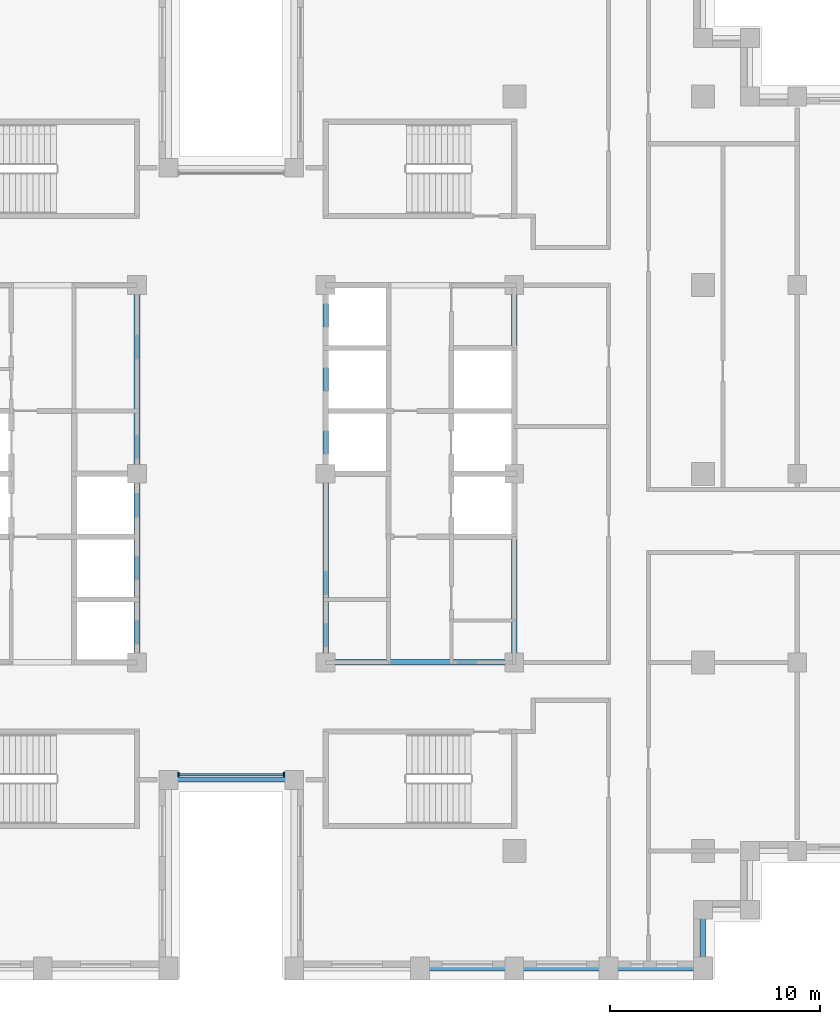
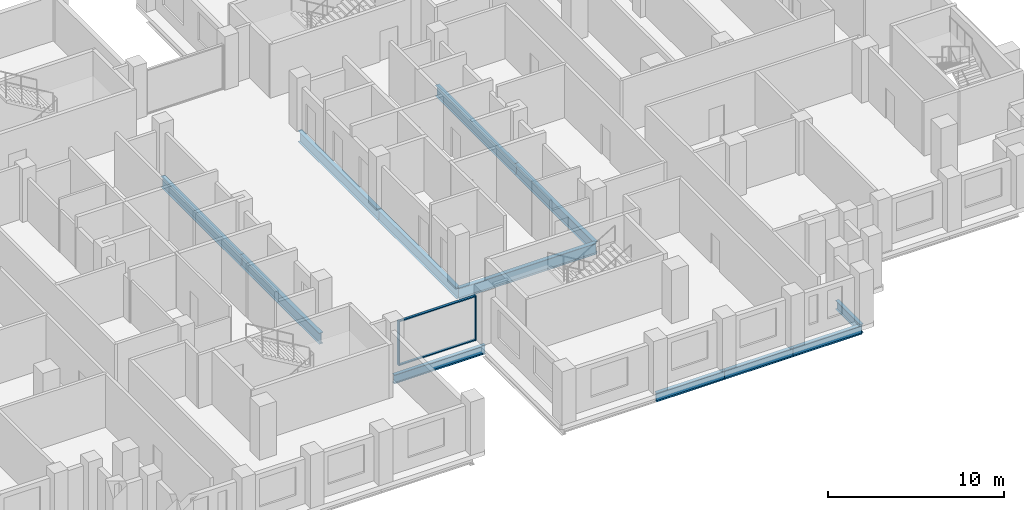
# One storey, part 2 of 16: 12 beams, 4 members, 1 element without a shape of its own.
"""IFC4 building model written with IfcOpenShell, lengths in metres."""

from ifc_helpers import new_model, si_unit, direction, frame, origin, origin_2d, place, context, subcontext, project, spatial, rectangle, i_section, extrude, material, layer, layer_set, material_profile, profile_set, type_object, element, aggregate, save


model = new_model("IFC4")

# Units and contexts
model_context = context("Model", 3, precision=1e-05, world=origin(), true_north=direction((0.0, 1.0)))
body_context = subcontext(model_context, "Body", "Model", "MODEL_VIEW")
ifc_project = project(units=[si_unit("LENGTHUNIT", "METRE"), si_unit("AREAUNIT", "SQUARE_METRE"), si_unit("VOLUMEUNIT", "CUBIC_METRE"), si_unit("PLANEANGLEUNIT", "RADIAN"), si_unit("MASSUNIT", "GRAM", prefix="KILO")], contexts=[model_context])

# Site, building, storey
site_placement = place(None, origin())
site = spatial("IfcSite", under=ifc_project, at=site_placement, CompositionType="ELEMENT")
building_placement = place(site_placement, origin())
building = spatial("IfcBuilding", under=site, at=building_placement, Name="Corbelhall Arena Tower", CompositionType="ELEMENT")
storey_placement = place(building_placement, frame((0.0, 0.0, 150.0)))
storey = spatial("IfcBuildingStorey", under=building, at=storey_placement, Name="L29", CompositionType="ELEMENT", Elevation=150.0)

# Curtain wall, members
ifc_material_1 = material(Name="Aluminium black anodised", Category="aluminium")
ifc_layer = layer(ifc_material_1, 0.199951171875)
ifc_layer_set = layer_set([ifc_layer], Name="EV-CW1 Slot back wall")
curtain_wall_type = type_object("IfcCurtainWallType", Name="EV-CW1 Slot back wall", PredefinedType="NOTDEFINED", material=ifc_layer_set)
curtain_wall_placement = place(storey_placement, origin())
curtain_wall = element("IfcCurtainWall", 1, at=curtain_wall_placement, inside=storey, type_object=curtain_wall_type, Name="Curtain wall CW1", PredefinedType="NOTDEFINED")
ifc_material_profile_1 = material_profile(ifc_material_1, rectangle(XDim=0.199951171875, YDim=0.074951171875, at=origin_2d()))
ifc_profile_set_1 = profile_set([ifc_material_profile_1], Name="Aluminium black anodised")
member_type_1 = type_object("IfcMemberType", Name="EV-CW1-MULLION", PredefinedType="MULLION", material=ifc_profile_set_1)
member_1_placement = place(storey_placement, frame((-2.512451171875, -14.35009765625, 0.0), z_axis=(0.0, 0.0, 1.0), x_axis=(0.0, 1.0, 0.0)))
member_1 = element("IfcMember", 2, at=member_1_placement, type_object=member_type_1, Name="CW1 mullion 1", PredefinedType="MULLION", context=body_context, shape_type="SweptSolid", body=[
    extrude(rectangle(XDim=0.199951171875, YDim=0.074951171875, at=origin_2d()), origin(), (0.0, 0.0, 1.0), 3.10009765625),
])
member_2_placement = place(storey_placement, frame((2.512451171875, -14.35009765625, 0.0), z_axis=(0.0, 0.0, 1.0), x_axis=(0.0, 1.0, 0.0)))
member_2 = element("IfcMember", 3, at=member_2_placement, type_object=member_type_1, Name="CW1 mullion 2", PredefinedType="MULLION", context=body_context, shape_type="SweptSolid", body=[
    extrude(rectangle(XDim=0.199951171875, YDim=0.074951171875, at=origin_2d()), origin(), (0.0, 0.0, 1.0), 3.10009765625),
])
ifc_material_profile_2 = material_profile(ifc_material_1, rectangle(XDim=0.14990234375, YDim=0.074951171875, at=origin_2d()))
ifc_profile_set_2 = profile_set([ifc_material_profile_2], Name="Aluminium black anodised")
member_type_2 = type_object("IfcMemberType", Name="EV-CW1-TRANSOM", PredefinedType="USERDEFINED", material=ifc_profile_set_2)
member_3_placement = place(storey_placement, frame((-2.47509765625, -14.35009765625, 0.03759765625), z_axis=(1.0, 0.0, 0.0), x_axis=(0.0, 1.0, 0.0)))
member_3 = element("IfcMember", 4, at=member_3_placement, type_object=member_type_2, Name="CW1 transom 1.1", ObjectType="transom", PredefinedType="USERDEFINED", context=body_context, shape_type="SweptSolid", body=[
    extrude(rectangle(XDim=0.14990234375, YDim=0.074951171875, at=origin_2d()), origin(), (0.0, 0.0, 1.0), 4.9501953125),
])
member_4_placement = place(storey_placement, frame((-2.47509765625, -14.35009765625, 3.0625), z_axis=(1.0, 0.0, 0.0), x_axis=(0.0, 1.0, 0.0)))
member_4 = element("IfcMember", 5, at=member_4_placement, type_object=member_type_2, Name="CW1 transom 1.2", ObjectType="transom", PredefinedType="USERDEFINED", context=body_context, shape_type="SweptSolid", body=[
    extrude(rectangle(XDim=0.14990234375, YDim=0.074951171875, at=origin_2d()), origin(), (0.0, 0.0, 1.0), 4.9501953125),
])
aggregate(curtain_wall, [member_1, member_2, member_3, member_4])

# Beams
ifc_material_2 = material(Name="Steel ASTM A992 Gr50", Category="steel")
ifc_material_profile_3 = material_profile(ifc_material_2, i_section(OverallWidth=0.2666015625, OverallDepth=0.761962890625, WebThickness=0.014404296875, FlangeThickness=0.021484375, at=origin_2d()))
ifc_profile_set_3 = profile_set([ifc_material_profile_3], Name="Steel ASTM A992 Gr50")
beam_type_1 = type_object("IfcBeamType", Name="ST-BEAM-W30x116", PredefinedType="BEAM", material=ifc_profile_set_3)
for number, where, z_axis, x_axis, name in (
    (6, (-4.5, -9.0, -0.680908203125), (0.0, 1.0, 0.0), (-1.0, 0.0, 0.0), "Beam CEW 3"),
    (7, (-4.5, 0.0, -0.680908203125), (0.0, 1.0, 0.0), (-1.0, 0.0, 0.0), "Beam CEW 4"),
    (8, (4.5, -9.0, -0.680908203125), (0.0, 1.0, 0.0), (-1.0, 0.0, 0.0), "Beam CEE 7"),
    (9, (4.5, 0.0, -0.680908203125), (0.0, 1.0, 0.0), (-1.0, 0.0, 0.0), "Beam CEE 8"),
    (10, (13.5, -9.0, -0.680908203125), (0.0, 1.0, 0.0), (-1.0, 0.0, 0.0), "Beam CEE 9"),
    (11, (13.5, 0.0, -0.680908203125), (0.0, 1.0, 0.0), (-1.0, 0.0, 0.0), "Beam CEE 10"),
    (12, (4.5, -9.0, -0.680908203125), (1.0, 0.0, 0.0), (0.0, 1.0, 0.0), "Beam CEE 11"),
):
    element("IfcBeam", number, at=place(storey_placement, frame(where, z_axis=z_axis, x_axis=x_axis)), inside=storey, type_object=beam_type_1, Name=name, PredefinedType="BEAM", context=body_context, shape_type="SweptSolid", body=[
        extrude(i_section(OverallWidth=0.2666015625, OverallDepth=0.761962890625, WebThickness=0.014404296875, FlangeThickness=0.021484375, at=origin_2d()), origin(), (0.0, 0.0, 1.0), 9.0),
    ])
ifc_material_profile_4 = material_profile(ifc_material_2, i_section(OverallWidth=0.22900390625, OverallDepth=0.612060546875, WebThickness=0.011962890625, FlangeThickness=0.01953125, at=origin_2d()))
ifc_profile_set_4 = profile_set([ifc_material_profile_4], Name="Steel ASTM A992 Gr50")
beam_type_2 = type_object("IfcBeamType", Name="ST-SPANDREL-W24x84", PredefinedType="SPANDREL", material=ifc_profile_set_4)
for number, where, z_axis, x_axis, name in (
    (13, (13.5, -23.60009765625, -0.60595703125), (-1.0, 0.0, 0.0), (0.0, -1.0, 0.0), "Beam SP 29"),
    (14, (18.0, -23.60009765625, -0.60595703125), (-1.0, 0.0, 0.0), (0.0, -1.0, 0.0), "Beam SP 30"),
    (15, (22.5, -23.60009765625, -0.60595703125), (-1.0, 0.0, 0.0), (0.0, -1.0, 0.0), "Beam SP 31"),
):
    element("IfcBeam", number, at=place(storey_placement, frame(where, z_axis=z_axis, x_axis=x_axis)), inside=storey, type_object=beam_type_2, Name=name, PredefinedType="SPANDREL", context=body_context, shape_type="SweptSolid", body=[
        extrude(i_section(OverallWidth=0.22900390625, OverallDepth=0.612060546875, WebThickness=0.011962890625, FlangeThickness=0.01953125, at=origin_2d()), origin(), (0.0, 0.0, 1.0), 4.5),
    ])
beam_1_placement = place(storey_placement, frame((3.0, -14.60009765625, -0.60595703125), z_axis=(-1.0, 0.0, 0.0), x_axis=(0.0, -1.0, 0.0)))
element("IfcBeam", 16, at=beam_1_placement, inside=storey, type_object=beam_type_2, Name="Beam SP 41", PredefinedType="SPANDREL", context=body_context, shape_type="SweptSolid", body=[
    extrude(i_section(OverallWidth=0.22900390625, OverallDepth=0.612060546875, WebThickness=0.011962890625, FlangeThickness=0.01953125, at=origin_2d()), origin(), (0.0, 0.0, 1.0), 6.0),
])
beam_2_placement = place(storey_placement, frame((22.5, -20.800048828125, -0.60595703125), z_axis=(0.0, -1.0, 0.0), x_axis=(1.0, 0.0, 0.0)))
element("IfcBeam", 17, at=beam_2_placement, inside=storey, type_object=beam_type_2, Name="Beam SP 49", PredefinedType="SPANDREL", context=body_context, shape_type="SweptSolid", body=[
    extrude(i_section(OverallWidth=0.22900390625, OverallDepth=0.612060546875, WebThickness=0.011962890625, FlangeThickness=0.01953125, at=origin_2d()), origin(), (0.0, 0.0, 1.0), 2.800048828125),
])

save(model, "model.ifc")
